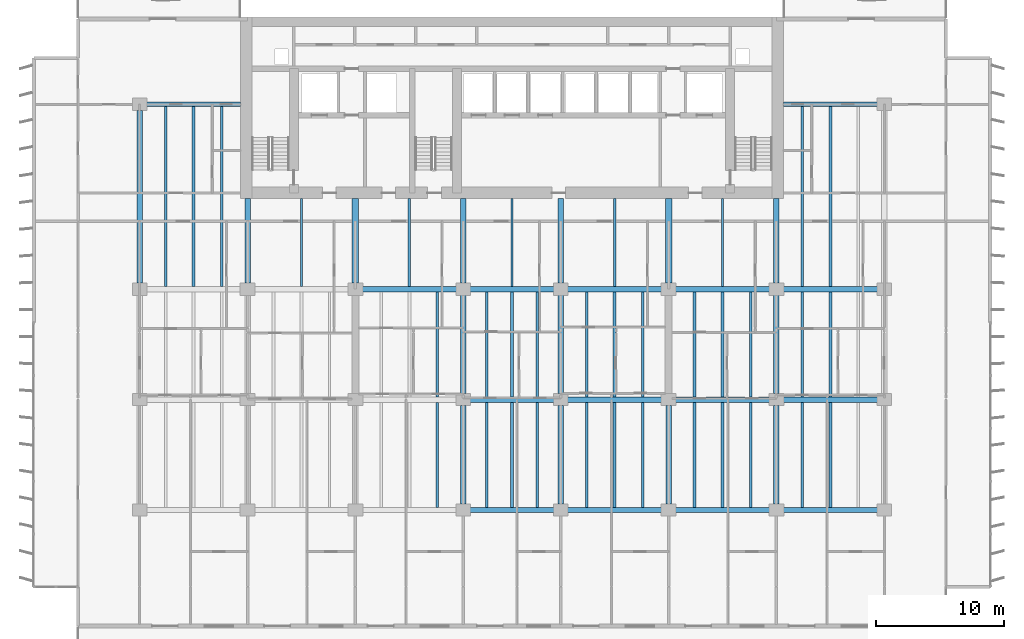
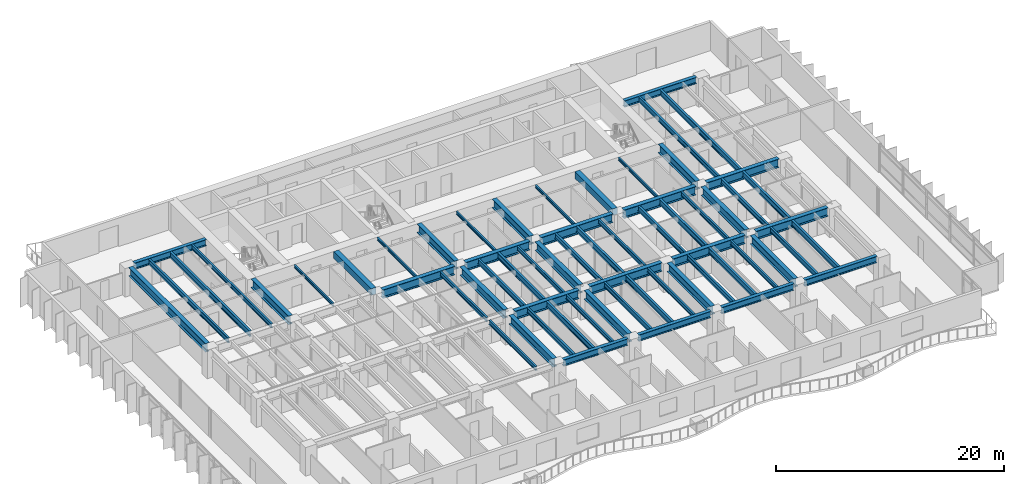
# One storey, part 3 of 19: 63 beams.
"""IFC4 building model written with IfcOpenShell, lengths in metres."""

from ifc_helpers import new_model, si_unit, direction, frame, origin, origin_2d, place, context, subcontext, project, spatial, rectangle, i_section, extrude, material, material_profile, profile_set, type_object, element, save


model = new_model("IFC4")

# Units and contexts
model_context = context("Model", 3, precision=1e-05, world=origin(), true_north=direction((0.0, 1.0)))
body_context = subcontext(model_context, "Body", "Model", "MODEL_VIEW")
ifc_project = project(units=[si_unit("LENGTHUNIT", "METRE"), si_unit("AREAUNIT", "SQUARE_METRE"), si_unit("VOLUMEUNIT", "CUBIC_METRE"), si_unit("PLANEANGLEUNIT", "RADIAN"), si_unit("MASSUNIT", "GRAM", prefix="KILO")], contexts=[model_context])

# Site, building, storey
site_placement = place(None, origin())
site = spatial("IfcSite", under=ifc_project, at=site_placement, CompositionType="ELEMENT")
building_placement = place(site_placement, origin())
building = spatial("IfcBuilding", under=site, at=building_placement, Name="Caelmar Bay Residences", CompositionType="ELEMENT")
storey_placement = place(building_placement, frame((0.0, 0.0, 66.300048828125)))
storey = spatial("IfcBuildingStorey", under=building, at=storey_placement, Name="L17", CompositionType="ELEMENT", Elevation=66.300048828125)

# Beams
ifc_material_1 = material(Name="Steel ASTM A992 Grade 50", Category="steel")
ifc_material_profile_1 = material_profile(ifc_material_1, i_section(OverallWidth=0.422119140625, OverallDepth=0.925048828125, WebThickness=0.021240234375, FlangeThickness=0.03662109375, FilletRadius=0.020263671875, at=origin_2d()), Name="W36X262")
ifc_profile_set_1 = profile_set([ifc_material_profile_1], Name="Steel ASTM A992 Grade 50")
beam_type_1 = type_object("IfcBeamType", Name="BM-GRD-W36X262", PredefinedType="BEAM", material=ifc_profile_set_1)
beam_1_placement = place(storey_placement, frame((35.639892578125, 20.800048828125, 2.58740234375), z_axis=(1.0, 0.0, 0.0), x_axis=(0.0, 1.0, 0.0)))
element("IfcBeam", 1, at=beam_1_placement, inside=storey, type_object=beam_type_1, Name="L17 East-West Girder Y=20.80 (35.1-42.7)", PredefinedType="BEAM", context=body_context, shape_type="SweptSolid", body=[
    extrude(i_section(OverallWidth=0.422119140625, OverallDepth=0.925048828125, WebThickness=0.021240234375, FlangeThickness=0.03662109375, FilletRadius=0.020263671875, at=origin_2d()), origin(), (0.0, 0.0, 1.0), 6.52001953125),
])
for number, where, z_axis, x_axis, name in (
    (2, (43.239990234375, 20.800048828125, 2.58740234375), (1.0, 0.0, 0.0), (0.0, 1.0, 0.0), "L17 East-West Girder Y=20.80 (42.7-51.1)"),
    (3, (51.639892578125, 20.800048828125, 2.58740234375), (1.0, 0.0, 0.0), (0.0, 1.0, 0.0), "L17 East-West Girder Y=20.80 (51.1-59.5)"),
    (4, (60.0400390625, 20.800048828125, 2.58740234375), (1.0, 0.0, 0.0), (0.0, 1.0, 0.0), "L17 East-West Girder Y=20.80 (59.5-67.9)"),
    (5, (27.239990234375, 29.39990234375, 2.58740234375), (1.0, 0.0, 0.0), (0.0, 1.0, 0.0), "L17 East-West Girder Y=29.40 (26.7-35.1)"),
):
    element("IfcBeam", number, at=place(storey_placement, frame(where, z_axis=z_axis, x_axis=x_axis)), inside=storey, type_object=beam_type_1, Name=name, PredefinedType="BEAM", context=body_context, shape_type="SweptSolid", body=[
        extrude(i_section(OverallWidth=0.422119140625, OverallDepth=0.925048828125, WebThickness=0.021240234375, FlangeThickness=0.03662109375, FilletRadius=0.020263671875, at=origin_2d()), origin(), (0.0, 0.0, 1.0), 7.320068359375),
    ])
beam_2_placement = place(storey_placement, frame((35.639892578125, 29.39990234375, 2.58740234375), z_axis=(1.0, 0.0, 0.0), x_axis=(0.0, 1.0, 0.0)))
element("IfcBeam", 6, at=beam_2_placement, inside=storey, type_object=beam_type_1, Name="L17 East-West Girder Y=29.40 (35.1-42.7)", PredefinedType="BEAM", context=body_context, shape_type="SweptSolid", body=[
    extrude(i_section(OverallWidth=0.422119140625, OverallDepth=0.925048828125, WebThickness=0.021240234375, FlangeThickness=0.03662109375, FilletRadius=0.020263671875, at=origin_2d()), origin(), (0.0, 0.0, 1.0), 6.52001953125),
])
for number, where, z_axis, x_axis, name in (
    (7, (43.239990234375, 29.39990234375, 2.58740234375), (1.0, 0.0, 0.0), (0.0, 1.0, 0.0), "L17 East-West Girder Y=29.40 (42.7-51.1)"),
    (8, (51.639892578125, 29.39990234375, 2.58740234375), (1.0, 0.0, 0.0), (0.0, 1.0, 0.0), "L17 East-West Girder Y=29.40 (51.1-59.5)"),
    (9, (60.0400390625, 29.39990234375, 2.58740234375), (1.0, 0.0, 0.0), (0.0, 1.0, 0.0), "L17 East-West Girder Y=29.40 (59.5-67.9)"),
):
    element("IfcBeam", number, at=place(storey_placement, frame(where, z_axis=z_axis, x_axis=x_axis)), inside=storey, type_object=beam_type_1, Name=name, PredefinedType="BEAM", context=body_context, shape_type="SweptSolid", body=[
        extrude(i_section(OverallWidth=0.422119140625, OverallDepth=0.925048828125, WebThickness=0.021240234375, FlangeThickness=0.03662109375, FilletRadius=0.020263671875, at=origin_2d()), origin(), (0.0, 0.0, 1.0), 7.320068359375),
    ])
beam_3_placement = place(storey_placement, frame((9.89990234375, 29.864990234375, 2.58740234375), z_axis=(0.0, 1.0, 0.0), x_axis=(-1.0, 0.0, 0.0)))
element("IfcBeam", 10, at=beam_3_placement, inside=storey, type_object=beam_type_1, Name="L17 North-South Girder X=9.90 (29.4-43.8)", PredefinedType="BEAM", context=body_context, shape_type="SweptSolid", body=[
    extrude(i_section(OverallWidth=0.422119140625, OverallDepth=0.925048828125, WebThickness=0.021240234375, FlangeThickness=0.03662109375, FilletRadius=0.020263671875, at=origin_2d()), origin(), (0.0, 0.0, 1.0), 13.469970703125),
])
for number, where, z_axis, x_axis, name in (
    (11, (18.300048828125, 29.864990234375, 2.58740234375), (0.0, 1.0, 0.0), (-1.0, 0.0, 0.0), "L17 Core Tie Girder X=18.30"),
    (12, (35.10009765625, 29.864990234375, 2.58740234375), (0.0, 1.0, 0.0), (-1.0, 0.0, 0.0), "L17 Core Tie Girder X=35.10"),
):
    element("IfcBeam", number, at=place(storey_placement, frame(where, z_axis=z_axis, x_axis=x_axis)), inside=storey, type_object=beam_type_1, Name=name, PredefinedType="BEAM", context=body_context, shape_type="SweptSolid", body=[
        extrude(i_section(OverallWidth=0.422119140625, OverallDepth=0.925048828125, WebThickness=0.021240234375, FlangeThickness=0.03662109375, FilletRadius=0.020263671875, at=origin_2d()), origin(), (0.0, 0.0, 1.0), 6.5849609375),
    ])
beam_4_placement = place(storey_placement, frame((35.10009765625, 12.6650390625, 2.58740234375), z_axis=(0.0, 1.0, 0.0), x_axis=(-1.0, 0.0, 0.0)))
element("IfcBeam", 13, at=beam_4_placement, inside=storey, type_object=beam_type_1, Name="L17 North-South Girder X=35.10 (12.2-20.8)", PredefinedType="BEAM", context=body_context, shape_type="SweptSolid", body=[
    extrude(i_section(OverallWidth=0.422119140625, OverallDepth=0.925048828125, WebThickness=0.021240234375, FlangeThickness=0.03662109375, FilletRadius=0.020263671875, at=origin_2d()), origin(), (0.0, 0.0, 1.0), 7.669921875),
])
beam_5_placement = place(storey_placement, frame((35.10009765625, 21.264892578125, 2.58740234375), z_axis=(0.0, 1.0, 0.0), x_axis=(-1.0, 0.0, 0.0)))
element("IfcBeam", 14, at=beam_5_placement, inside=storey, type_object=beam_type_1, Name="L17 North-South Girder X=35.10 (20.8-29.4)", PredefinedType="BEAM", context=body_context, shape_type="SweptSolid", body=[
    extrude(i_section(OverallWidth=0.422119140625, OverallDepth=0.925048828125, WebThickness=0.021240234375, FlangeThickness=0.03662109375, FilletRadius=0.020263671875, at=origin_2d()), origin(), (0.0, 0.0, 1.0), 7.670166015625),
])
beam_6_placement = place(storey_placement, frame((42.699951171875, 29.864990234375, 2.58740234375), z_axis=(0.0, 1.0, 0.0), x_axis=(-1.0, 0.0, 0.0)))
element("IfcBeam", 15, at=beam_6_placement, inside=storey, type_object=beam_type_1, Name="L17 Core Tie Girder X=42.70", PredefinedType="BEAM", context=body_context, shape_type="SweptSolid", body=[
    extrude(i_section(OverallWidth=0.422119140625, OverallDepth=0.925048828125, WebThickness=0.021240234375, FlangeThickness=0.03662109375, FilletRadius=0.020263671875, at=origin_2d()), origin(), (0.0, 0.0, 1.0), 6.5849609375),
])
beam_7_placement = place(storey_placement, frame((42.699951171875, 12.6650390625, 2.58740234375), z_axis=(0.0, 1.0, 0.0), x_axis=(-1.0, 0.0, 0.0)))
element("IfcBeam", 16, at=beam_7_placement, inside=storey, type_object=beam_type_1, Name="L17 North-South Girder X=42.70 (12.2-20.8)", PredefinedType="BEAM", context=body_context, shape_type="SweptSolid", body=[
    extrude(i_section(OverallWidth=0.422119140625, OverallDepth=0.925048828125, WebThickness=0.021240234375, FlangeThickness=0.03662109375, FilletRadius=0.020263671875, at=origin_2d()), origin(), (0.0, 0.0, 1.0), 7.669921875),
])
beam_8_placement = place(storey_placement, frame((42.699951171875, 21.264892578125, 2.58740234375), z_axis=(0.0, 1.0, 0.0), x_axis=(-1.0, 0.0, 0.0)))
element("IfcBeam", 17, at=beam_8_placement, inside=storey, type_object=beam_type_1, Name="L17 North-South Girder X=42.70 (20.8-29.4)", PredefinedType="BEAM", context=body_context, shape_type="SweptSolid", body=[
    extrude(i_section(OverallWidth=0.422119140625, OverallDepth=0.925048828125, WebThickness=0.021240234375, FlangeThickness=0.03662109375, FilletRadius=0.020263671875, at=origin_2d()), origin(), (0.0, 0.0, 1.0), 7.670166015625),
])
beam_9_placement = place(storey_placement, frame((51.10009765625, 12.6650390625, 2.58740234375), z_axis=(0.0, 1.0, 0.0), x_axis=(-1.0, 0.0, 0.0)))
element("IfcBeam", 18, at=beam_9_placement, inside=storey, type_object=beam_type_1, Name="L17 North-South Girder X=51.10 (12.2-20.8)", PredefinedType="BEAM", context=body_context, shape_type="SweptSolid", body=[
    extrude(i_section(OverallWidth=0.422119140625, OverallDepth=0.925048828125, WebThickness=0.021240234375, FlangeThickness=0.03662109375, FilletRadius=0.020263671875, at=origin_2d()), origin(), (0.0, 0.0, 1.0), 7.669921875),
])
beam_10_placement = place(storey_placement, frame((59.5, 29.864990234375, 2.58740234375), z_axis=(0.0, 1.0, 0.0), x_axis=(-1.0, 0.0, 0.0)))
element("IfcBeam", 19, at=beam_10_placement, inside=storey, type_object=beam_type_1, Name="L17 Core Tie Girder X=59.50", PredefinedType="BEAM", context=body_context, shape_type="SweptSolid", body=[
    extrude(i_section(OverallWidth=0.422119140625, OverallDepth=0.925048828125, WebThickness=0.021240234375, FlangeThickness=0.03662109375, FilletRadius=0.020263671875, at=origin_2d()), origin(), (0.0, 0.0, 1.0), 6.5849609375),
])
beam_11_placement = place(storey_placement, frame((59.5, 12.6650390625, 2.58740234375), z_axis=(0.0, 1.0, 0.0), x_axis=(-1.0, 0.0, 0.0)))
element("IfcBeam", 20, at=beam_11_placement, inside=storey, type_object=beam_type_1, Name="L17 North-South Girder X=59.50 (12.2-20.8)", PredefinedType="BEAM", context=body_context, shape_type="SweptSolid", body=[
    extrude(i_section(OverallWidth=0.422119140625, OverallDepth=0.925048828125, WebThickness=0.021240234375, FlangeThickness=0.03662109375, FilletRadius=0.020263671875, at=origin_2d()), origin(), (0.0, 0.0, 1.0), 7.669921875),
])
beam_12_placement = place(storey_placement, frame((59.5, 21.264892578125, 2.58740234375), z_axis=(0.0, 1.0, 0.0), x_axis=(-1.0, 0.0, 0.0)))
element("IfcBeam", 21, at=beam_12_placement, inside=storey, type_object=beam_type_1, Name="L17 North-South Girder X=59.50 (20.8-29.4)", PredefinedType="BEAM", context=body_context, shape_type="SweptSolid", body=[
    extrude(i_section(OverallWidth=0.422119140625, OverallDepth=0.925048828125, WebThickness=0.021240234375, FlangeThickness=0.03662109375, FilletRadius=0.020263671875, at=origin_2d()), origin(), (0.0, 0.0, 1.0), 7.670166015625),
])
ifc_material_profile_2 = material_profile(ifc_material_1, i_section(OverallWidth=0.1650390625, OverallDepth=0.31005859375, WebThickness=0.005859375, FlangeThickness=0.009765625, FilletRadius=0.007568359375, at=origin_2d()), Name="W12X26")
ifc_profile_set_2 = profile_set([ifc_material_profile_2], Name="Steel ASTM A992 Grade 50")
beam_type_2 = type_object("IfcBeamType", Name="BM-JST-W12X26", PredefinedType="JOIST", material=ifc_profile_set_2)
for number, where, z_axis, x_axis, name in (
    (22, (22.5, 29.611083984375, 2.89501953125), (0.0, 1.0, 0.0), (-1.0, 0.0, 0.0), "L17 Core-Band Composite Joist 43"),
    (23, (30.89990234375, 29.611083984375, 2.89501953125), (0.0, 1.0, 0.0), (-1.0, 0.0, 0.0), "L17 Core-Band Composite Joist 44"),
    (24, (38.89990234375, 29.611083984375, 2.89501953125), (0.0, 1.0, 0.0), (-1.0, 0.0, 0.0), "L17 Core-Band Composite Joist 45"),
    (25, (46.89990234375, 29.611083984375, 2.89501953125), (0.0, 1.0, 0.0), (-1.0, 0.0, 0.0), "L17 Core-Band Composite Joist 46"),
    (26, (55.300048828125, 29.611083984375, 2.89501953125), (0.0, 1.0, 0.0), (-1.0, 0.0, 0.0), "L17 Core-Band Composite Joist 47"),
):
    element("IfcBeam", number, at=place(storey_placement, frame(where, z_axis=z_axis, x_axis=x_axis)), inside=storey, type_object=beam_type_2, Name=name, PredefinedType="JOIST", context=body_context, shape_type="SweptSolid", body=[
        extrude(i_section(OverallWidth=0.1650390625, OverallDepth=0.31005859375, WebThickness=0.005859375, FlangeThickness=0.009765625, FilletRadius=0.007568359375, at=origin_2d()), origin(), (0.0, 0.0, 1.0), 6.8388671875),
    ])
ifc_material_profile_3 = material_profile(ifc_material_1, i_section(OverallWidth=0.19091796875, OverallDepth=0.45703125, WebThickness=0.009033203125, FlangeThickness=0.014404296875, FilletRadius=0.01025390625, at=origin_2d()), Name="W18X50")
ifc_profile_set_3 = profile_set([ifc_material_profile_3], Name="Steel ASTM A992 Grade 50")
beam_type_3 = type_object("IfcBeamType", Name="BM-JST-W18X50", PredefinedType="JOIST", material=ifc_profile_set_3)
for number, where, z_axis, x_axis, name in (
    (27, (33.083984375, 12.3779296875, 2.821533203125), (0.0, 1.0, 0.0), (-1.0, 0.0, 0.0), "L17 Composite Floor Joist 9"),
    (28, (40.8759765625, 12.3779296875, 2.821533203125), (0.0, 1.0, 0.0), (-1.0, 0.0, 0.0), "L17 Composite Floor Joist 12"),
    (29, (49.083984375, 12.3779296875, 2.821533203125), (0.0, 1.0, 0.0), (-1.0, 0.0, 0.0), "L17 Composite Floor Joist 15"),
    (30, (57.48388671875, 12.3779296875, 2.821533203125), (0.0, 1.0, 0.0), (-1.0, 0.0, 0.0), "L17 Composite Floor Joist 18"),
):
    element("IfcBeam", number, at=place(storey_placement, frame(where, z_axis=z_axis, x_axis=x_axis)), inside=storey, type_object=beam_type_3, Name=name, PredefinedType="JOIST", context=body_context, shape_type="SweptSolid", body=[
        extrude(i_section(OverallWidth=0.19091796875, OverallDepth=0.45703125, WebThickness=0.009033203125, FlangeThickness=0.014404296875, FilletRadius=0.01025390625, at=origin_2d()), origin(), (0.0, 0.0, 1.0), 8.211181640625),
    ])
for number, where, z_axis, x_axis, name in (
    (31, (33.083984375, 21.010986328125, 2.821533203125), (0.0, 1.0, 0.0), (-1.0, 0.0, 0.0), "L17 Composite Floor Joist 30"),
    (32, (40.8759765625, 21.010986328125, 2.821533203125), (0.0, 1.0, 0.0), (-1.0, 0.0, 0.0), "L17 Composite Floor Joist 33"),
    (33, (49.083984375, 21.010986328125, 2.821533203125), (0.0, 1.0, 0.0), (-1.0, 0.0, 0.0), "L17 Composite Floor Joist 36"),
    (34, (57.48388671875, 21.010986328125, 2.821533203125), (0.0, 1.0, 0.0), (-1.0, 0.0, 0.0), "L17 Composite Floor Joist 39"),
):
    element("IfcBeam", number, at=place(storey_placement, frame(where, z_axis=z_axis, x_axis=x_axis)), inside=storey, type_object=beam_type_3, Name=name, PredefinedType="JOIST", context=body_context, shape_type="SweptSolid", body=[
        extrude(i_section(OverallWidth=0.19091796875, OverallDepth=0.45703125, WebThickness=0.009033203125, FlangeThickness=0.014404296875, FilletRadius=0.01025390625, at=origin_2d()), origin(), (0.0, 0.0, 1.0), 8.177978515625),
    ])
beam_13_placement = place(storey_placement, frame((16.283935546875, 29.611083984375, 2.821533203125), z_axis=(0.0, 1.0, 0.0), x_axis=(-1.0, 0.0, 0.0)))
element("IfcBeam", 35, at=beam_13_placement, inside=storey, type_object=beam_type_3, Name="L17 Composite Floor Joist 50", PredefinedType="JOIST", context=body_context, shape_type="SweptSolid", body=[
    extrude(i_section(OverallWidth=0.19091796875, OverallDepth=0.45703125, WebThickness=0.009033203125, FlangeThickness=0.014404296875, FilletRadius=0.01025390625, at=origin_2d()), origin(), (0.0, 0.0, 1.0), 14.010986328125),
])
ifc_material_profile_4 = material_profile(ifc_material_1, i_section(OverallWidth=0.2099609375, OverallDepth=0.535888671875, WebThickness=0.010986328125, FlangeThickness=0.017333984375, FilletRadius=0.0126953125, at=origin_2d()), Name="W21X68")
ifc_profile_set_4 = profile_set([ifc_material_profile_4], Name="Steel ASTM A992 Grade 50")
beam_type_4 = type_object("IfcBeamType", Name="BM-JST-W21X68", PredefinedType="JOIST", material=ifc_profile_set_4)
for number, where, z_axis, x_axis, name in (
    (36, (36.924072265625, 12.3779296875, 2.781982421875), (0.0, 1.0, 0.0), (-1.0, 0.0, 0.0), "L17 Composite Floor Joist 10"),
    (37, (44.716064453125, 12.3779296875, 2.781982421875), (0.0, 1.0, 0.0), (-1.0, 0.0, 0.0), "L17 Composite Floor Joist 13"),
    (38, (53.115966796875, 12.3779296875, 2.781982421875), (0.0, 1.0, 0.0), (-1.0, 0.0, 0.0), "L17 Composite Floor Joist 16"),
    (39, (61.51611328125, 12.3779296875, 2.781982421875), (0.0, 1.0, 0.0), (-1.0, 0.0, 0.0), "L17 Composite Floor Joist 19"),
):
    element("IfcBeam", number, at=place(storey_placement, frame(where, z_axis=z_axis, x_axis=x_axis)), inside=storey, type_object=beam_type_4, Name=name, PredefinedType="JOIST", context=body_context, shape_type="SweptSolid", body=[
        extrude(i_section(OverallWidth=0.2099609375, OverallDepth=0.535888671875, WebThickness=0.010986328125, FlangeThickness=0.017333984375, FilletRadius=0.0126953125, at=origin_2d()), origin(), (0.0, 0.0, 1.0), 8.211181640625),
    ])
for number, where, z_axis, x_axis, name in (
    (40, (36.924072265625, 21.010986328125, 2.781982421875), (0.0, 1.0, 0.0), (-1.0, 0.0, 0.0), "L17 Composite Floor Joist 31"),
    (41, (44.716064453125, 21.010986328125, 2.781982421875), (0.0, 1.0, 0.0), (-1.0, 0.0, 0.0), "L17 Composite Floor Joist 34"),
    (42, (53.115966796875, 21.010986328125, 2.781982421875), (0.0, 1.0, 0.0), (-1.0, 0.0, 0.0), "L17 Composite Floor Joist 37"),
    (43, (61.51611328125, 21.010986328125, 2.781982421875), (0.0, 1.0, 0.0), (-1.0, 0.0, 0.0), "L17 Composite Floor Joist 40"),
):
    element("IfcBeam", number, at=place(storey_placement, frame(where, z_axis=z_axis, x_axis=x_axis)), inside=storey, type_object=beam_type_4, Name=name, PredefinedType="JOIST", context=body_context, shape_type="SweptSolid", body=[
        extrude(i_section(OverallWidth=0.2099609375, OverallDepth=0.535888671875, WebThickness=0.010986328125, FlangeThickness=0.017333984375, FilletRadius=0.0126953125, at=origin_2d()), origin(), (0.0, 0.0, 1.0), 8.177978515625),
    ])
for number, where, z_axis, x_axis, name in (
    (44, (11.916015625, 29.611083984375, 2.781982421875), (0.0, 1.0, 0.0), (-1.0, 0.0, 0.0), "L17 Composite Floor Joist 48"),
    (45, (61.51611328125, 29.611083984375, 2.781982421875), (0.0, 1.0, 0.0), (-1.0, 0.0, 0.0), "L17 Composite Floor Joist 51"),
):
    element("IfcBeam", number, at=place(storey_placement, frame(where, z_axis=z_axis, x_axis=x_axis)), inside=storey, type_object=beam_type_4, Name=name, PredefinedType="JOIST", context=body_context, shape_type="SweptSolid", body=[
        extrude(i_section(OverallWidth=0.2099609375, OverallDepth=0.535888671875, WebThickness=0.010986328125, FlangeThickness=0.017333984375, FilletRadius=0.0126953125, at=origin_2d()), origin(), (0.0, 0.0, 1.0), 14.010986328125),
    ])
ifc_material_profile_5 = material_profile(ifc_material_1, i_section(OverallWidth=0.22900390625, OverallDepth=0.612060546875, WebThickness=0.011962890625, FlangeThickness=0.01953125, FilletRadius=0.0126953125, at=origin_2d()), Name="W24X84")
ifc_profile_set_5 = profile_set([ifc_material_profile_5], Name="Steel ASTM A992 Grade 50")
beam_type_5 = type_object("IfcBeamType", Name="BM-JST-W24X84", PredefinedType="JOIST", material=ifc_profile_set_5)
for number, where, z_axis, x_axis, name in (
    (46, (38.89990234375, 12.3779296875, 2.743896484375), (0.0, 1.0, 0.0), (-1.0, 0.0, 0.0), "L17 Composite Floor Joist 11"),
    (47, (46.89990234375, 12.3779296875, 2.743896484375), (0.0, 1.0, 0.0), (-1.0, 0.0, 0.0), "L17 Composite Floor Joist 14"),
    (48, (55.300048828125, 12.3779296875, 2.743896484375), (0.0, 1.0, 0.0), (-1.0, 0.0, 0.0), "L17 Composite Floor Joist 17"),
    (49, (63.699951171875, 12.3779296875, 2.743896484375), (0.0, 1.0, 0.0), (-1.0, 0.0, 0.0), "L17 Composite Floor Joist 20"),
):
    element("IfcBeam", number, at=place(storey_placement, frame(where, z_axis=z_axis, x_axis=x_axis)), inside=storey, type_object=beam_type_5, Name=name, PredefinedType="JOIST", context=body_context, shape_type="SweptSolid", body=[
        extrude(i_section(OverallWidth=0.22900390625, OverallDepth=0.612060546875, WebThickness=0.011962890625, FlangeThickness=0.01953125, FilletRadius=0.0126953125, at=origin_2d()), origin(), (0.0, 0.0, 1.0), 8.211181640625),
    ])
for number, where, z_axis, x_axis, name in (
    (50, (38.89990234375, 21.010986328125, 2.743896484375), (0.0, 1.0, 0.0), (-1.0, 0.0, 0.0), "L17 Composite Floor Joist 32"),
    (51, (46.89990234375, 21.010986328125, 2.743896484375), (0.0, 1.0, 0.0), (-1.0, 0.0, 0.0), "L17 Composite Floor Joist 35"),
    (52, (55.300048828125, 21.010986328125, 2.743896484375), (0.0, 1.0, 0.0), (-1.0, 0.0, 0.0), "L17 Composite Floor Joist 38"),
    (53, (63.699951171875, 21.010986328125, 2.743896484375), (0.0, 1.0, 0.0), (-1.0, 0.0, 0.0), "L17 Composite Floor Joist 41"),
):
    element("IfcBeam", number, at=place(storey_placement, frame(where, z_axis=z_axis, x_axis=x_axis)), inside=storey, type_object=beam_type_5, Name=name, PredefinedType="JOIST", context=body_context, shape_type="SweptSolid", body=[
        extrude(i_section(OverallWidth=0.22900390625, OverallDepth=0.612060546875, WebThickness=0.011962890625, FlangeThickness=0.01953125, FilletRadius=0.0126953125, at=origin_2d()), origin(), (0.0, 0.0, 1.0), 8.177978515625),
    ])
for number, where, z_axis, x_axis, name in (
    (54, (14.10009765625, 29.611083984375, 2.743896484375), (0.0, 1.0, 0.0), (-1.0, 0.0, 0.0), "L17 Composite Floor Joist 49"),
    (55, (63.699951171875, 29.611083984375, 2.743896484375), (0.0, 1.0, 0.0), (-1.0, 0.0, 0.0), "L17 Composite Floor Joist 52"),
):
    element("IfcBeam", number, at=place(storey_placement, frame(where, z_axis=z_axis, x_axis=x_axis)), inside=storey, type_object=beam_type_5, Name=name, PredefinedType="JOIST", context=body_context, shape_type="SweptSolid", body=[
        extrude(i_section(OverallWidth=0.22900390625, OverallDepth=0.612060546875, WebThickness=0.011962890625, FlangeThickness=0.01953125, FilletRadius=0.0126953125, at=origin_2d()), origin(), (0.0, 0.0, 1.0), 14.010986328125),
    ])
ifc_material_2 = material(Name="Concrete f'c 55 MPa (8,000 psi)", Category="concrete")
ifc_material_profile_6 = material_profile(ifc_material_2, rectangle(XDim=0.5, YDim=0.699951171875, at=origin_2d()), Name="RC-BM-500X700")
ifc_profile_set_6 = profile_set([ifc_material_profile_6], Name="Concrete f'c 55 MPa (8,000 psi)")
beam_type_6 = type_object("IfcBeamType", Name="BM-RC-500X700", PredefinedType="LINTEL", material=ifc_profile_set_6)
for number, where, z_axis, x_axis, name in (
    (56, (26.699951171875, 29.864990234375, 2.699951171875), (0.0, 1.0, 0.0), (-1.0, 0.0, 0.0), "L17 Shear-Wall Corridor Coupling Lintel W5"),
    (57, (51.10009765625, 29.864990234375, 2.699951171875), (0.0, 1.0, 0.0), (-1.0, 0.0, 0.0), "L17 Shear-Wall Corridor Coupling Lintel E8"),
):
    element("IfcBeam", number, at=place(storey_placement, frame(where, z_axis=z_axis, x_axis=x_axis)), inside=storey, type_object=beam_type_6, Name=name, PredefinedType="LINTEL", context=body_context, shape_type="SweptSolid", body=[
        extrude(rectangle(XDim=0.5, YDim=0.699951171875, at=origin_2d()), origin(), (0.0, 0.0, 1.0), 6.5849609375),
    ])
ifc_material_profile_7 = material_profile(ifc_material_1, i_section(OverallWidth=0.35595703125, OverallDepth=0.696044921875, WebThickness=0.015380859375, FlangeThickness=0.02490234375, FilletRadius=0.01513671875, at=origin_2d()), Name="W27X146")
ifc_profile_set_7 = profile_set([ifc_material_profile_7], Name="Steel ASTM A992 Grade 50")
beam_type_7 = type_object("IfcBeamType", Name="BM-SPN-W27X146", PredefinedType="SPANDREL", material=ifc_profile_set_7)
beam_14_placement = place(storey_placement, frame((35.639892578125, 12.199951171875, 2.701904296875), z_axis=(1.0, 0.0, 0.0), x_axis=(0.0, 1.0, 0.0)))
element("IfcBeam", 58, at=beam_14_placement, inside=storey, type_object=beam_type_7, Name="L17 East-West Girder Y=12.20 (35.1-42.7)", PredefinedType="SPANDREL", context=body_context, shape_type="SweptSolid", body=[
    extrude(i_section(OverallWidth=0.35595703125, OverallDepth=0.696044921875, WebThickness=0.015380859375, FlangeThickness=0.02490234375, FilletRadius=0.01513671875, at=origin_2d()), origin(), (0.0, 0.0, 1.0), 6.52001953125),
])
for number, where, z_axis, x_axis, name in (
    (59, (43.239990234375, 12.199951171875, 2.701904296875), (1.0, 0.0, 0.0), (0.0, 1.0, 0.0), "L17 East-West Girder Y=12.20 (42.7-51.1)"),
    (60, (51.639892578125, 12.199951171875, 2.701904296875), (1.0, 0.0, 0.0), (0.0, 1.0, 0.0), "L17 East-West Girder Y=12.20 (51.1-59.5)"),
    (61, (60.0400390625, 12.199951171875, 2.701904296875), (1.0, 0.0, 0.0), (0.0, 1.0, 0.0), "L17 East-West Girder Y=12.20 (59.5-67.9)"),
):
    element("IfcBeam", number, at=place(storey_placement, frame(where, z_axis=z_axis, x_axis=x_axis)), inside=storey, type_object=beam_type_7, Name=name, PredefinedType="SPANDREL", context=body_context, shape_type="SweptSolid", body=[
        extrude(i_section(OverallWidth=0.35595703125, OverallDepth=0.696044921875, WebThickness=0.015380859375, FlangeThickness=0.02490234375, FilletRadius=0.01513671875, at=origin_2d()), origin(), (0.0, 0.0, 1.0), 7.320068359375),
    ])
for number, where, z_axis, x_axis, name in (
    (62, (10.43994140625, 43.800048828125, 2.701904296875), (1.0, 0.0, 0.0), (0.0, 1.0, 0.0), "L17 North-West Wing Core Tie Girder"),
    (63, (60.050048828125, 43.800048828125, 2.701904296875), (1.0, 0.0, 0.0), (0.0, 1.0, 0.0), "L17 North-East Wing Core Tie Girder"),
):
    element("IfcBeam", number, at=place(storey_placement, frame(where, z_axis=z_axis, x_axis=x_axis)), inside=storey, type_object=beam_type_7, Name=name, PredefinedType="SPANDREL", context=body_context, shape_type="SweptSolid", body=[
        extrude(i_section(OverallWidth=0.35595703125, OverallDepth=0.696044921875, WebThickness=0.015380859375, FlangeThickness=0.02490234375, FilletRadius=0.01513671875, at=origin_2d()), origin(), (0.0, 0.0, 1.0), 7.31005859375),
    ])

save(model, "model.ifc")
